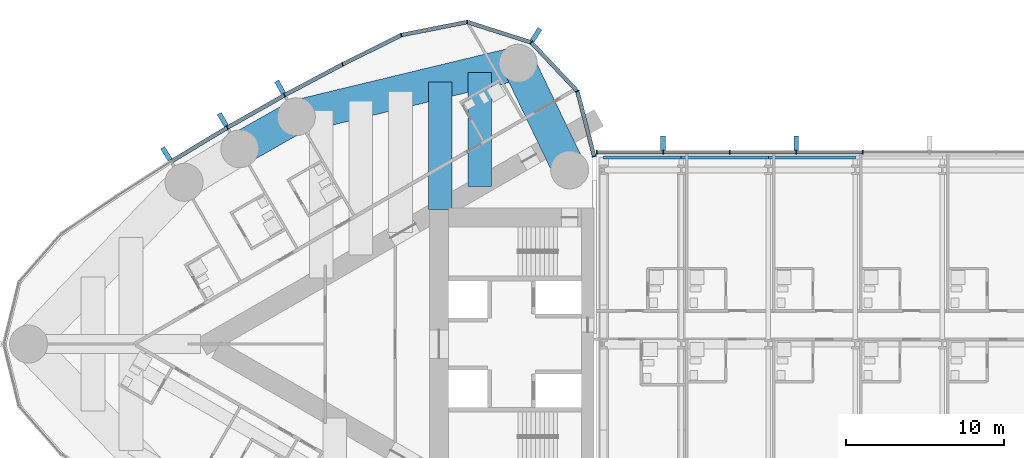
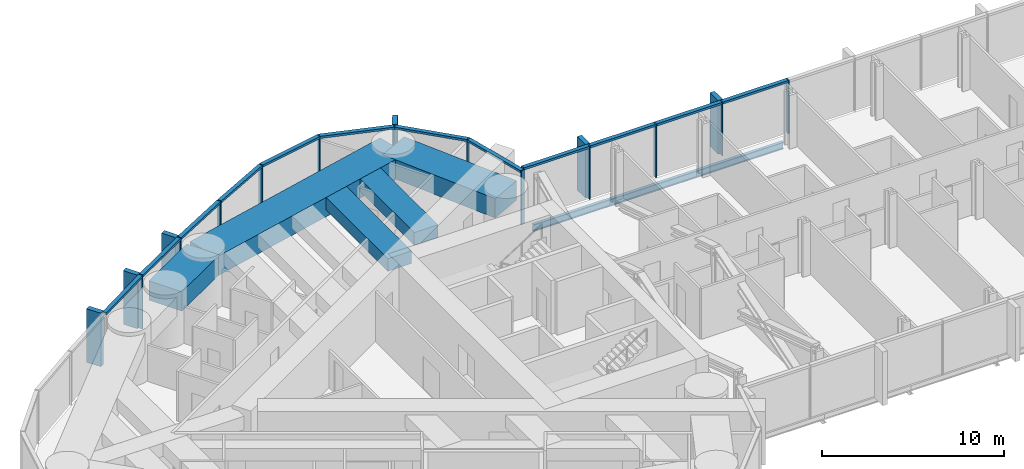
# One storey, part 5 of 23: 31 members, 8 beams, 2 elements without a shape of their own.
"""IFC4 building model written with IfcOpenShell, lengths in metres."""

from ifc_helpers import new_model, si_unit, direction, frame, origin, origin_2d, place, context, subcontext, project, spatial, rectangle, i_section, extrude, material, material_profile, profile_set, type_object, element, aggregate, save


model = new_model("IFC4")

# Units and contexts
model_context = context("Model", 3, precision=1e-05, world=origin(), true_north=direction((0.0, 1.0)))
body_context = subcontext(model_context, "Body", "Model", "MODEL_VIEW")
ifc_project = project(units=[si_unit("LENGTHUNIT", "METRE"), si_unit("AREAUNIT", "SQUARE_METRE"), si_unit("VOLUMEUNIT", "CUBIC_METRE"), si_unit("PLANEANGLEUNIT", "RADIAN"), si_unit("MASSUNIT", "GRAM", prefix="KILO")], contexts=[model_context])

# Site, building, storey
site_placement = place(None, origin())
site = spatial("IfcSite", under=ifc_project, at=site_placement, CompositionType="ELEMENT")
building_placement = place(site_placement, origin())
building = spatial("IfcBuilding", under=site, at=building_placement, Name="Lancet Gate Hotel", CompositionType="ELEMENT")
storey_placement = place(building_placement, frame((0.0, 0.0, 218.89990234375)))
storey = spatial("IfcBuildingStorey", under=building, at=storey_placement, Name="L58", CompositionType="ELEMENT", Elevation=218.89990234375)

# Curtain wall, members
ifc_material_1 = material(Name="Aluminium curtain wall", Category="aluminium")
curtain_wall_type_1 = type_object("IfcCurtainWallType", Name="Tower unitised curtain wall", PredefinedType="USERDEFINED", material=ifc_material_1)
curtain_wall_1_placement = place(storey_placement, origin())
curtain_wall_1 = element("IfcCurtainWall", 1, at=curtain_wall_1_placement, inside=storey, type_object=curtain_wall_type_1, Name="T1 L58 curtain wall 1", ObjectType="UNITISED CURTAIN WALL", PredefinedType="USERDEFINED")
ifc_material_2 = material(Name="Aluminium mullion", Category="aluminium")
ifc_material_profile_1 = material_profile(ifc_material_2, rectangle(XDim=0.06494140625, YDim=0.25, at=origin_2d()), Name="MULLION 65x250")
ifc_profile_set_1 = profile_set([ifc_material_profile_1], Name="Aluminium mullion")
member_type_1 = type_object("IfcMemberType", Name="Aluminium mullion 65x250", PredefinedType="MULLION", material=ifc_profile_set_1)
member_1_placement = place(storey_placement, frame((-27.5, 11.861572265625, 0.0), z_axis=(0.0, 0.0, 1.0), x_axis=(-0.249725827997, 0.968316586056, 0.0)))
member_1 = element("IfcMember", 2, at=member_1_placement, type_object=member_type_1, Name="T1 L58 curtain wall 1 mullion 1", PredefinedType="MULLION", context=body_context, shape_type="SweptSolid", body=[
    extrude(rectangle(XDim=0.06494140625, YDim=0.25, at=origin_2d()), origin(), (0.0, 0.0, 1.0), 3.60009765625),
])
member_2_placement = place(storey_placement, frame((-28.56005859375, 15.97216796875, 0.0), z_axis=(0.0, 0.0, 1.0), x_axis=(-0.483627322447, 0.875274021654, 0.0)))
member_2 = element("IfcMember", 3, at=member_2_placement, type_object=member_type_1, Name="T1 L58 curtain wall 1 mullion 2", PredefinedType="MULLION", context=body_context, shape_type="SweptSolid", body=[
    extrude(rectangle(XDim=0.06494140625, YDim=0.25, at=origin_2d()), origin(), (0.0, 0.0, 1.0), 3.60009765625),
])
member_3_placement = place(storey_placement, frame((-31.476318359375, 19.0576171875, 0.0), z_axis=(0.0, 0.0, 1.0), x_axis=(-0.846612863, 0.532209225966, 0.0)))
member_3 = element("IfcMember", 4, at=member_3_placement, type_object=member_type_1, Name="T1 L58 curtain wall 1 mullion 3", PredefinedType="MULLION", context=body_context, shape_type="SweptSolid", body=[
    extrude(rectangle(XDim=0.06494140625, YDim=0.25, at=origin_2d()), origin(), (0.0, 0.0, 1.0), 3.60009765625),
])
member_4_placement = place(storey_placement, frame((-35.520751953125, 20.347900390625, 0.0), z_axis=(0.0, 0.0, 1.0), x_axis=(-0.998409168318, 0.056383797491, 0.0)))
member_4 = element("IfcMember", 5, at=member_4_placement, type_object=member_type_1, Name="T1 L58 curtain wall 1 mullion 4", PredefinedType="MULLION", context=body_context, shape_type="SweptSolid", body=[
    extrude(rectangle(XDim=0.06494140625, YDim=0.25, at=origin_2d()), origin(), (0.0, 0.0, 1.0), 3.60009765625),
])
member_5_placement = place(storey_placement, frame((-39.684814453125, 19.521240234375, 0.0), z_axis=(0.0, 0.0, 1.0), x_axis=(-0.946887706423, -0.321564412561, 0.0)))
member_5 = element("IfcMember", 6, at=member_5_placement, type_object=member_type_1, Name="T1 L58 curtain wall 1 mullion 5", PredefinedType="MULLION", context=body_context, shape_type="SweptSolid", body=[
    extrude(rectangle(XDim=0.06494140625, YDim=0.25, at=origin_2d()), origin(), (0.0, 0.0, 1.0), 3.60009765625),
])
member_6_placement = place(storey_placement, frame((-43.3994140625, 17.67236328125, 0.0), z_axis=(0.0, 0.0, 1.0), x_axis=(-0.889155526065, -0.457605125046, 0.0)))
member_6 = element("IfcMember", 7, at=member_6_placement, type_object=member_type_1, Name="T1 L58 curtain wall 1 mullion 6", PredefinedType="MULLION", context=body_context, shape_type="SweptSolid", body=[
    extrude(rectangle(XDim=0.06494140625, YDim=0.25, at=origin_2d()), origin(), (0.0, 0.0, 1.0), 3.60009765625),
])
member_7_placement = place(storey_placement, frame((-47.062744140625, 15.72412109375, 0.0), z_axis=(0.0, 0.0, 1.0), x_axis=(-0.876516407283, -0.481371984815, 0.0)))
member_7 = element("IfcMember", 8, at=member_7_placement, type_object=member_type_1, Name="T1 L58 curtain wall 1 mullion 7", PredefinedType="MULLION", context=body_context, shape_type="SweptSolid", body=[
    extrude(rectangle(XDim=0.06494140625, YDim=0.25, at=origin_2d()), origin(), (0.0, 0.0, 1.0), 3.60009765625),
])
member_8_placement = place(storey_placement, frame((-50.67236328125, 13.677978515625, 0.0), z_axis=(0.0, 0.0, 1.0), x_axis=(-0.863242155108, -0.504790037189, 0.0)))
member_8 = element("IfcMember", 9, at=member_8_placement, type_object=member_type_1, Name="T1 L58 curtain wall 1 mullion 8", PredefinedType="MULLION", context=body_context, shape_type="SweptSolid", body=[
    extrude(rectangle(XDim=0.06494140625, YDim=0.25, at=origin_2d()), origin(), (0.0, 0.0, 1.0), 3.60009765625),
])

ifc_material_3 = material(Name="Aluminium curtain wall", Category="aluminium")
curtain_wall_type_2 = type_object("IfcCurtainWallType", Name="Bridge block curtain wall", PredefinedType="USERDEFINED", material=ifc_material_3)
curtain_wall_2_placement = place(storey_placement, origin())
curtain_wall_2 = element("IfcCurtainWall", 10, at=curtain_wall_2_placement, inside=storey, type_object=curtain_wall_type_2, Name="Bridge block L58 curtain wall N", ObjectType="UNITISED CURTAIN WALL", PredefinedType="USERDEFINED")
member_9_placement = place(storey_placement, frame((-10.519287109375, 12.1201171875, 0.0), z_axis=(0.0, 0.0, 1.0), x_axis=(-1.0, 0.0, 0.0)))
member_9 = element("IfcMember", 11, at=member_9_placement, type_object=member_type_1, Name="Bridge block L58 curtain wall N mullion 10", PredefinedType="MULLION", context=body_context, shape_type="SweptSolid", body=[
    extrude(rectangle(XDim=0.06494140625, YDim=0.25, at=origin_2d()), origin(), (0.0, 0.0, 1.0), 3.60009765625),
])
member_10_placement = place(storey_placement, frame((-14.726806640625, 12.1201171875, 0.0), z_axis=(0.0, 0.0, 1.0), x_axis=(-1.0, 0.0, 0.0)))
member_10 = element("IfcMember", 12, at=member_10_placement, type_object=member_type_1, Name="Bridge block L58 curtain wall N mullion 11", PredefinedType="MULLION", context=body_context, shape_type="SweptSolid", body=[
    extrude(rectangle(XDim=0.06494140625, YDim=0.25, at=origin_2d()), origin(), (0.0, 0.0, 1.0), 3.60009765625),
])
member_11_placement = place(storey_placement, frame((-18.9345703125, 12.1201171875, 0.0), z_axis=(0.0, 0.0, 1.0), x_axis=(-1.0, 0.0, 0.0)))
member_11 = element("IfcMember", 13, at=member_11_placement, type_object=member_type_1, Name="Bridge block L58 curtain wall N mullion 12", PredefinedType="MULLION", context=body_context, shape_type="SweptSolid", body=[
    extrude(rectangle(XDim=0.06494140625, YDim=0.25, at=origin_2d()), origin(), (0.0, 0.0, 1.0), 3.60009765625),
])
member_12_placement = place(storey_placement, frame((-23.142333984375, 12.1201171875, 0.0), z_axis=(0.0, 0.0, 1.0), x_axis=(-1.0, 0.0, 0.0)))
member_12 = element("IfcMember", 14, at=member_12_placement, type_object=member_type_1, Name="Bridge block L58 curtain wall N mullion 13", PredefinedType="MULLION", context=body_context, shape_type="SweptSolid", body=[
    extrude(rectangle(XDim=0.06494140625, YDim=0.25, at=origin_2d()), origin(), (0.0, 0.0, 1.0), 3.60009765625),
])
member_13_placement = place(storey_placement, frame((-27.35009765625, 12.1201171875, 0.0), z_axis=(0.0, 0.0, 1.0), x_axis=(-1.0, 0.0, 0.0)))
member_13 = element("IfcMember", 15, at=member_13_placement, type_object=member_type_1, Name="Bridge block L58 curtain wall N mullion 14", PredefinedType="MULLION", context=body_context, shape_type="SweptSolid", body=[
    extrude(rectangle(XDim=0.06494140625, YDim=0.25, at=origin_2d()), origin(), (0.0, 0.0, 1.0), 3.60009765625),
])

# Member
ifc_material_4 = material(Name="Aluminium transom", Category="aluminium")
ifc_material_profile_2 = material_profile(ifc_material_4, rectangle(XDim=0.25, YDim=0.14990234375, at=origin_2d()), Name="TRANSOM 250x150")
ifc_profile_set_2 = profile_set([ifc_material_profile_2], Name="Aluminium transom")
member_type_2 = type_object("IfcMemberType", Name="Aluminium transom 250x150", PredefinedType="USERDEFINED", material=ifc_profile_set_2)
member_14_placement = place(storey_placement, frame((-27.508056640625, 11.892822265625, 3.525146484375), z_axis=(-0.249715522936, 0.968319243641, 0.0), x_axis=(-0.968319243641, -0.249715522936, 0.0)))
member_14 = element("IfcMember", 16, at=member_14_placement, type_object=member_type_2, Name="T1 L58 curtain wall 1 transom 1", ObjectType="TRANSOM", PredefinedType="USERDEFINED", context=body_context, shape_type="SweptSolid", body=[
    extrude(rectangle(XDim=0.25, YDim=0.14990234375, at=origin_2d()), origin(), (0.0, 0.0, 1.0), 4.180419921875),
])

member_15_placement = place(storey_placement, frame((-28.58251953125, 15.995849609375, 3.525146484375), z_axis=(-0.686880731091, 0.726770157103, 0.0), x_axis=(-0.726770157103, -0.686880731091, 0.0)))
member_15 = element("IfcMember", 17, at=member_15_placement, type_object=member_type_2, Name="T1 L58 curtain wall 1 transom 2", ObjectType="TRANSOM", PredefinedType="USERDEFINED", context=body_context, shape_type="SweptSolid", body=[
    extrude(rectangle(XDim=0.25, YDim=0.14990234375, at=origin_2d()), origin(), (0.0, 0.0, 1.0), 4.18017578125),
])

member_16_placement = place(storey_placement, frame((-31.507080078125, 19.067626953125, 3.525146484375), z_axis=(-0.952697713775, 0.303919506068, 0.0), x_axis=(-0.303919506068, -0.952697713775, 0.0)))
member_16 = element("IfcMember", 18, at=member_16_placement, type_object=member_type_2, Name="T1 L58 curtain wall 1 transom 3", ObjectType="TRANSOM", PredefinedType="USERDEFINED", context=body_context, shape_type="SweptSolid", body=[
    extrude(rectangle(XDim=0.25, YDim=0.14990234375, at=origin_2d()), origin(), (0.0, 0.0, 1.0), 4.180419921875),
])

member_17_placement = place(storey_placement, frame((-35.552734375, 20.341552734375, 3.525146484375), z_axis=(-0.980858234867, -0.194723196085, 0.0), x_axis=(0.194723196085, -0.980858234867, 0.0)))
member_17 = element("IfcMember", 19, at=member_17_placement, type_object=member_type_2, Name="T1 L58 curtain wall 1 transom 4", ObjectType="TRANSOM", PredefinedType="USERDEFINED", context=body_context, shape_type="SweptSolid", body=[
    extrude(rectangle(XDim=0.25, YDim=0.14990234375, at=origin_2d()), origin(), (0.0, 0.0, 1.0), 4.18017578125),
])

member_18_placement = place(storey_placement, frame((-39.7138671875, 19.5068359375, 3.525146484375), z_axis=(-0.895226720479, -0.445610950202, 0.0), x_axis=(0.445610950202, -0.895226720479, 0.0)))
member_18 = element("IfcMember", 20, at=member_18_placement, type_object=member_type_2, Name="T1 L58 curtain wall 1 transom 5", ObjectType="TRANSOM", PredefinedType="USERDEFINED", context=body_context, shape_type="SweptSolid", body=[
    extrude(rectangle(XDim=0.25, YDim=0.14990234375, at=origin_2d()), origin(), (0.0, 0.0, 1.0), 4.08447265625),
])

member_19_placement = place(storey_placement, frame((-43.427978515625, 17.656982421875, 3.525146484375), z_axis=(-0.882944619844, -0.469477154171, 0.0), x_axis=(0.469477154171, -0.882944619844, 0.0)))
member_19 = element("IfcMember", 21, at=member_19_placement, type_object=member_type_2, Name="T1 L58 curtain wall 1 transom 6", ObjectType="TRANSOM", PredefinedType="USERDEFINED", context=body_context, shape_type="SweptSolid", body=[
    extrude(rectangle(XDim=0.25, YDim=0.14990234375, at=origin_2d()), origin(), (0.0, 0.0, 1.0), 4.084228515625),
])

member_20_placement = place(storey_placement, frame((-47.091064453125, 15.7080078125, 3.525146484375), z_axis=(-0.869977740049, -0.493090997503, 0.0), x_axis=(0.493090997503, -0.869977740049, 0.0)))
member_20 = element("IfcMember", 22, at=member_20_placement, type_object=member_type_2, Name="T1 L58 curtain wall 1 transom 7", ObjectType="TRANSOM", PredefinedType="USERDEFINED", context=body_context, shape_type="SweptSolid", body=[
    extrude(rectangle(XDim=0.25, YDim=0.14990234375, at=origin_2d()), origin(), (0.0, 0.0, 1.0), 4.084228515625),
])

member_21_placement = place(storey_placement, frame((-50.7001953125, 13.661376953125, 3.525146484375), z_axis=(-0.856362214892, -0.516375596737, 0.0), x_axis=(0.516375596737, -0.856362214892, 0.0)))
member_21 = element("IfcMember", 23, at=member_21_placement, type_object=member_type_2, Name="T1 L58 curtain wall 1 transom 8", ObjectType="TRANSOM", PredefinedType="USERDEFINED", context=body_context, shape_type="SweptSolid", body=[
    extrude(rectangle(XDim=0.25, YDim=0.14990234375, at=origin_2d()), origin(), (0.0, 0.0, 1.0), 4.08447265625),
])

member_22_placement = place(storey_placement, frame((-10.5517578125, 12.1201171875, 3.525146484375), z_axis=(-1.0, 0.0, 0.0), x_axis=(0.0, -1.0, 0.0)))
member_22 = element("IfcMember", 24, at=member_22_placement, type_object=member_type_2, Name="Bridge block L58 curtain wall N transom 10", ObjectType="TRANSOM", PredefinedType="USERDEFINED", context=body_context, shape_type="SweptSolid", body=[
    extrude(rectangle(XDim=0.25, YDim=0.14990234375, at=origin_2d()), origin(), (0.0, 0.0, 1.0), 4.142578125),
])

member_23_placement = place(storey_placement, frame((-14.759521484375, 12.1201171875, 3.525146484375), z_axis=(-1.0, 0.0, 0.0), x_axis=(0.0, -1.0, 0.0)))
member_23 = element("IfcMember", 25, at=member_23_placement, type_object=member_type_2, Name="Bridge block L58 curtain wall N transom 11", ObjectType="TRANSOM", PredefinedType="USERDEFINED", context=body_context, shape_type="SweptSolid", body=[
    extrude(rectangle(XDim=0.25, YDim=0.14990234375, at=origin_2d()), origin(), (0.0, 0.0, 1.0), 4.142578125),
])

member_24_placement = place(storey_placement, frame((-18.967041015625, 12.1201171875, 3.525146484375), z_axis=(-1.0, 0.0, 0.0), x_axis=(0.0, -1.0, 0.0)))
member_24 = element("IfcMember", 26, at=member_24_placement, type_object=member_type_2, Name="Bridge block L58 curtain wall N transom 12", ObjectType="TRANSOM", PredefinedType="USERDEFINED", context=body_context, shape_type="SweptSolid", body=[
    extrude(rectangle(XDim=0.25, YDim=0.14990234375, at=origin_2d()), origin(), (0.0, 0.0, 1.0), 4.142822265625),
])

member_25_placement = place(storey_placement, frame((-23.1748046875, 12.1201171875, 3.525146484375), z_axis=(-1.0, 0.0, 0.0), x_axis=(0.0, -1.0, 0.0)))
member_25 = element("IfcMember", 27, at=member_25_placement, type_object=member_type_2, Name="Bridge block L58 curtain wall N transom 13", ObjectType="TRANSOM", PredefinedType="USERDEFINED", context=body_context, shape_type="SweptSolid", body=[
    extrude(rectangle(XDim=0.25, YDim=0.14990234375, at=origin_2d()), origin(), (0.0, 0.0, 1.0), 4.142578125),
])

# Beams
ifc_material_5 = material(Name="Steel S355", Category="steel")
ifc_material_profile_3 = material_profile(ifc_material_5, i_section(OverallWidth=0.19140625, OverallDepth=0.4599609375, WebThickness=0.010009765625, FlangeThickness=0.01611328125, FilletRadius=0.01025390625, at=origin_2d()), Name="UKB 457x191x82")
ifc_profile_set_3 = profile_set([ifc_material_profile_3], Name="Steel S355")
beam_type_1 = type_object("IfcBeamType", Name="Block edge beam UKB 457x191x82", PredefinedType="SPANDREL", material=ifc_profile_set_3)
beam_1_placement = place(storey_placement, frame((-26.89990234375, 11.800048828125, -0.429931640625), z_axis=(1.0, 0.0, 0.0), x_axis=(0.0, 1.0, 0.0)))
element("IfcBeam", 28, at=beam_1_placement, inside=storey, type_object=beam_type_1, Name="Block edge beam N 0-1 L58", PredefinedType="SPANDREL", context=body_context, shape_type="SweptSolid", body=[
    extrude(i_section(OverallWidth=0.19140625, OverallDepth=0.4599609375, WebThickness=0.010009765625, FlangeThickness=0.01611328125, FilletRadius=0.01025390625, at=origin_2d()), origin(), (0.0, 0.0, 1.0), 4.89990234375),
])
for number, where, z_axis, x_axis, name in (
    (29, (-22.0, 11.800048828125, -0.429931640625), (1.0, 0.0, 0.0), (0.0, 1.0, 0.0), "Block edge beam N 1-2 L58"),
    (30, (-16.5, 11.800048828125, -0.429931640625), (1.0, 0.0, 0.0), (0.0, 1.0, 0.0), "Block edge beam N 2-3 L58"),
):
    element("IfcBeam", number, at=place(storey_placement, frame(where, z_axis=z_axis, x_axis=x_axis)), inside=storey, type_object=beam_type_1, Name=name, PredefinedType="SPANDREL", context=body_context, shape_type="SweptSolid", body=[
        extrude(i_section(OverallWidth=0.19140625, OverallDepth=0.4599609375, WebThickness=0.010009765625, FlangeThickness=0.01611328125, FilletRadius=0.01025390625, at=origin_2d()), origin(), (0.0, 0.0, 1.0), 5.5),
    ])
ifc_material_6 = material(Name="Concrete C50/60", Category="concrete")
ifc_material_profile_4 = material_profile(ifc_material_6, rectangle(XDim=2.10009765625, YDim=1.300048828125, at=origin_2d()), Name="RC 2100x1300")
ifc_profile_set_4 = profile_set([ifc_material_profile_4], Name="Concrete C50/60")
beam_type_2 = type_object("IfcBeamType", Name="Edge beam RC 2100x1300", PredefinedType="SPANDREL", material=ifc_profile_set_4)
beam_2_placement = place(storey_placement, frame((-32.301025390625, 17.745361328125, 2.7001953125), z_axis=(-0.972132796948, -0.234430853556, 0.0), x_axis=(0.234430853556, -0.972132796948, 0.0)))
element("IfcBeam", 31, at=beam_2_placement, inside=storey, type_object=beam_type_2, Name="T1 edge beam EB1 L58", PredefinedType="SPANDREL", context=body_context, shape_type="SweptSolid", body=[
    extrude(rectangle(XDim=2.10009765625, YDim=1.300048828125, at=origin_2d()), origin(), (0.0, 0.0, 1.0), 14.41748046875),
])
beam_3_placement = place(storey_placement, frame((-46.316650390625, 14.365478515625, 2.7001953125), z_axis=(-0.869978841992, -0.493089053301, 0.0), x_axis=(0.493089053301, -0.869978841992, 0.0)))
element("IfcBeam", 32, at=beam_3_placement, inside=storey, type_object=beam_type_2, Name="T1 edge beam EB1 L58", PredefinedType="SPANDREL", context=body_context, shape_type="SweptSolid", body=[
    extrude(rectangle(XDim=2.10009765625, YDim=1.300048828125, at=origin_2d()), origin(), (0.0, 0.0, 1.0), 4.107666015625),
])
beam_4_placement = place(storey_placement, frame((-32.301025390625, 17.745361328125, 2.7001953125), z_axis=(0.434163599361, -0.900834040759, 0.0), x_axis=(0.900834040759, 0.434163599361, 0.0)))
element("IfcBeam", 33, at=beam_4_placement, inside=storey, type_object=beam_type_2, Name="T1 edge beam EB1 L58", PredefinedType="SPANDREL", context=body_context, shape_type="SweptSolid", body=[
    extrude(rectangle(XDim=2.10009765625, YDim=1.300048828125, at=origin_2d()), origin(), (0.0, 0.0, 1.0), 7.48779296875),
])

# Member
ifc_material_7 = material(Name="Precast concrete C50/60", Category="concrete")
ifc_material_profile_5 = material_profile(ifc_material_7, rectangle(XDim=0.300048828125, YDim=0.89990234375, at=origin_2d()), Name="FIN 300x900")
ifc_profile_set_5 = profile_set([ifc_material_profile_5], Name="Precast concrete C50/60")
member_type_3 = type_object("IfcMemberType", Name="Exposed concrete fin 300x900", PredefinedType="USERDEFINED", material=ifc_profile_set_5)
member_26_placement = place(storey_placement, frame((-31.170166015625, 19.54443359375, 0.0), z_axis=(0.0, 0.0, 1.0), x_axis=(-0.846612863, 0.532209225966, 0.0)))
member_26 = element("IfcMember", 34, at=member_26_placement, type_object=member_type_3, Name="T1 L58 curtain wall 1 fin 3", ObjectType="FIN", PredefinedType="USERDEFINED", context=body_context, shape_type="SweptSolid", body=[
    extrude(rectangle(XDim=0.300048828125, YDim=0.89990234375, at=origin_2d()), origin(), (0.0, 0.0, 1.0), 3.60009765625),
])

member_27_placement = place(storey_placement, frame((-47.339599609375, 16.22802734375, 0.0), z_axis=(0.0, 0.0, 1.0), x_axis=(-0.876516407283, -0.481371984815, 0.0)))
member_27 = element("IfcMember", 35, at=member_27_placement, type_object=member_type_3, Name="T1 L58 curtain wall 1 fin 7", ObjectType="FIN", PredefinedType="USERDEFINED", context=body_context, shape_type="SweptSolid", body=[
    extrude(rectangle(XDim=0.300048828125, YDim=0.89990234375, at=origin_2d()), origin(), (0.0, 0.0, 1.0), 3.60009765625),
])

member_28_placement = place(storey_placement, frame((-50.962646484375, 14.17431640625, 0.0), z_axis=(0.0, 0.0, 1.0), x_axis=(-0.863242155108, -0.504790037189, 0.0)))
member_28 = element("IfcMember", 36, at=member_28_placement, type_object=member_type_3, Name="T1 L58 curtain wall 1 fin 8", ObjectType="FIN", PredefinedType="USERDEFINED", context=body_context, shape_type="SweptSolid", body=[
    extrude(rectangle(XDim=0.300048828125, YDim=0.89990234375, at=origin_2d()), origin(), (0.0, 0.0, 1.0), 3.60009765625),
])

member_29_placement = place(storey_placement, frame((-54.529296875, 12.02392578125, 0.0), z_axis=(0.0, 0.0, 1.0), x_axis=(-0.849342388216, -0.527842313176, 0.0)))
member_29 = element("IfcMember", 37, at=member_29_placement, type_object=member_type_3, Name="T1 L58 curtain wall 1 fin 9", ObjectType="FIN", PredefinedType="USERDEFINED", context=body_context, shape_type="SweptSolid", body=[
    extrude(rectangle(XDim=0.300048828125, YDim=0.89990234375, at=origin_2d()), origin(), (0.0, 0.0, 1.0), 3.60009765625),
])

aggregate(curtain_wall_1, [member_1, member_2, member_3, member_26, member_4, member_5, member_6, member_7, member_27, member_8, member_28, member_29, member_14, member_15, member_16, member_17, member_18, member_19, member_20, member_21])

member_30_placement = place(storey_placement, frame((-14.726806640625, 12.695068359375, 0.0), z_axis=(0.0, 0.0, 1.0), x_axis=(-1.0, 0.0, 0.0)))
member_30 = element("IfcMember", 38, at=member_30_placement, type_object=member_type_3, Name="Bridge block L58 curtain wall N fin 11", ObjectType="FIN", PredefinedType="USERDEFINED", context=body_context, shape_type="SweptSolid", body=[
    extrude(rectangle(XDim=0.300048828125, YDim=0.89990234375, at=origin_2d()), origin(), (0.0, 0.0, 1.0), 3.60009765625),
])

member_31_placement = place(storey_placement, frame((-23.142333984375, 12.695068359375, 0.0), z_axis=(0.0, 0.0, 1.0), x_axis=(-1.0, 0.0, 0.0)))
member_31 = element("IfcMember", 39, at=member_31_placement, type_object=member_type_3, Name="Bridge block L58 curtain wall N fin 13", ObjectType="FIN", PredefinedType="USERDEFINED", context=body_context, shape_type="SweptSolid", body=[
    extrude(rectangle(XDim=0.300048828125, YDim=0.89990234375, at=origin_2d()), origin(), (0.0, 0.0, 1.0), 3.60009765625),
])

aggregate(curtain_wall_2, [member_9, member_10, member_30, member_11, member_12, member_31, member_13, member_22, member_23, member_24, member_25])

# Beams
ifc_material_8 = material(Name="Concrete C50/60", Category="concrete")
ifc_material_profile_6 = material_profile(ifc_material_8, rectangle(XDim=1.5, YDim=0.85009765625, at=origin_2d()), Name="RC 1500x850")
ifc_profile_set_6 = profile_set([ifc_material_profile_6], Name="Concrete C50/60")
beam_type_3 = type_object("IfcBeamType", Name="Floor beam RC 1500x850", PredefinedType="BEAM", material=ifc_profile_set_6)
beam_5_placement = place(storey_placement, frame((-34.720458984375, 17.161865234375, 2.925048828125), z_axis=(0.0, -1.0, 0.0), x_axis=(1.0, 0.0, 0.0)))
element("IfcBeam", 40, at=beam_5_placement, inside=storey, type_object=beam_type_3, Name="T1 floor beam F02S L58", PredefinedType="BEAM", context=body_context, shape_type="SweptSolid", body=[
    extrude(rectangle(XDim=1.5, YDim=0.85009765625, at=origin_2d()), origin(), (0.0, 0.0, 1.0), 7.203857421875),
])
beam_6_placement = place(storey_placement, frame((-37.227294921875, 16.557373046875, 2.925048828125), z_axis=(0.0, -1.0, 0.0), x_axis=(1.0, 0.0, 0.0)))
element("IfcBeam", 41, at=beam_6_placement, inside=storey, type_object=beam_type_3, Name="T1 floor beam F03S L58", PredefinedType="BEAM", context=body_context, shape_type="SweptSolid", body=[
    extrude(rectangle(XDim=1.5, YDim=0.85009765625, at=origin_2d()), origin(), (0.0, 0.0, 1.0), 8.046630859375),
])

save(model, "model.ifc")
